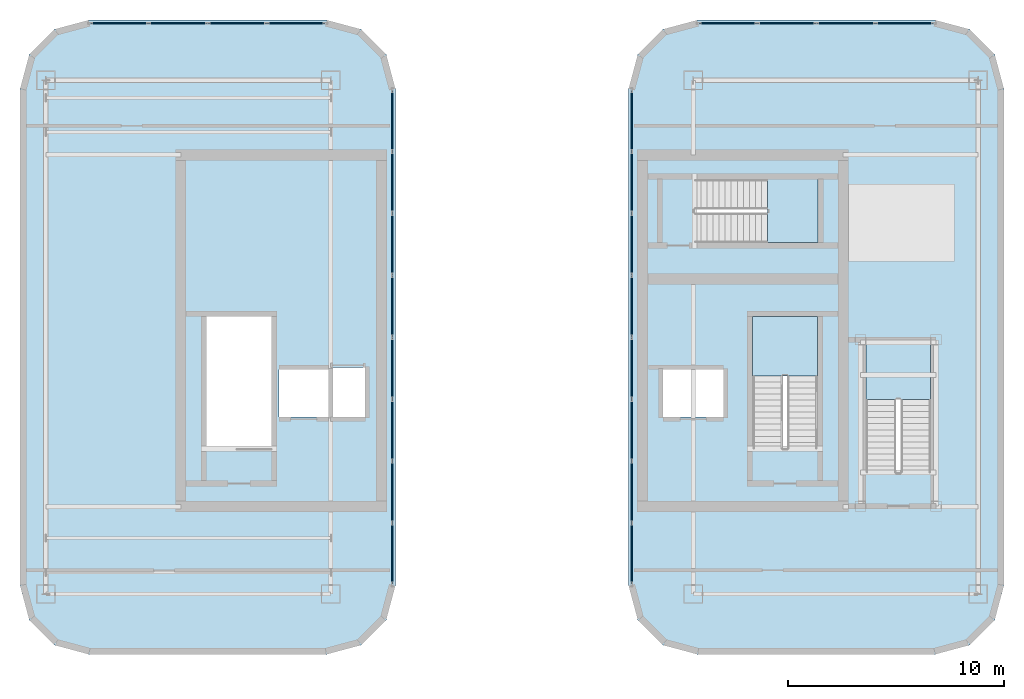
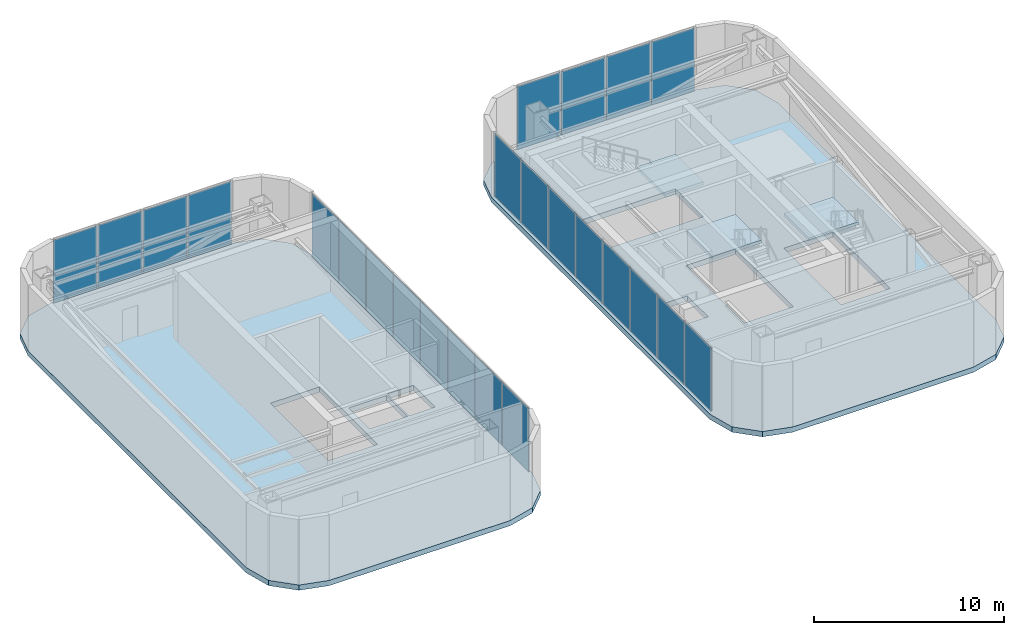
# One storey, part 8 of 13: 24 plates, 5 slabs, 7 elements without a shape of their own.
"""IFC4 building model written with IfcOpenShell, lengths in metres."""

from ifc_helpers import new_model, si_unit, direction, frame, origin, origin_2d, place, context, subcontext, project, spatial, polyline, rectangle, outline, extrude, material, layer, layer_set, type_object, element, aggregate, save


model = new_model("IFC4")

# Units and contexts
model_context = context("Model", 3, precision=1e-05, world=origin(), true_north=direction((0.0, 1.0)))
body_context = subcontext(model_context, "Body", "Model", "MODEL_VIEW")
ifc_project = project(units=[si_unit("LENGTHUNIT", "METRE"), si_unit("AREAUNIT", "SQUARE_METRE"), si_unit("VOLUMEUNIT", "CUBIC_METRE"), si_unit("PLANEANGLEUNIT", "RADIAN"), si_unit("MASSUNIT", "GRAM", prefix="KILO")], contexts=[model_context])

# Site, building, storey
site_placement = place(None, origin())
site = spatial("IfcSite", under=ifc_project, at=site_placement, CompositionType="ELEMENT")
building_placement = place(site_placement, origin())
building = spatial("IfcBuilding", under=site, at=building_placement, Name="Kiyonajd Concourse Tower", CompositionType="ELEMENT")
storey_placement = place(building_placement, frame((0.0, 0.0, 363.89990234375)))
storey = spatial("IfcBuildingStorey", under=building, at=storey_placement, Name="L91", CompositionType="ELEMENT", Elevation=363.89990234375)

# Curtain wall, plates
ifc_material_1 = material(Name="Thermally Broken Anodised Aluminium", Category="aluminium")
ifc_layer_1 = layer(ifc_material_1, 0.179931640625)
ifc_layer_set_1 = layer_set([ifc_layer_1], Name="Thermally Broken Anodised Aluminium")
curtain_wall_type = type_object("IfcCurtainWallType", Name="CW-SYS-06", PredefinedType="NOTDEFINED", material=ifc_layer_set_1)
curtain_wall_1_placement = place(storey_placement, origin())
curtain_wall_1 = element("IfcCurtainWall", 1, at=curtain_wall_1_placement, inside=storey, type_object=curtain_wall_type, Name="L91 Unitised Curtain Wall CW6", PredefinedType="NOTDEFINED")
ifc_material_2 = material(Name="Riyadh Jubaila Limestone", Category="masonry")
ifc_layer_2 = layer(ifc_material_2, 0.048095703125)
ifc_layer_set_2 = layer_set([ifc_layer_2], Name="Riyadh Jubaila Limestone")
plate_type = type_object("IfcPlateType", Name="PL-CW-SPD48", PredefinedType="CURTAIN_PANEL", material=ifc_layer_set_2)
plate_1_placement = place(storey_placement, frame((29.80859375, 50.25, 0.0751953125), z_axis=(0.0, 0.0, 1.0), x_axis=(1.0, 0.0, 0.0)))
plate_1 = element("IfcPlate", 2, at=plate_1_placement, type_object=plate_type, Name="CW6 panel 1.1", PredefinedType="CURTAIN_PANEL", context=body_context, shape_type="SweptSolid", body=[
    extrude(rectangle(XDim=2.627685546875, YDim=0.048095703125, at=origin_2d()), origin(), (0.0, 0.0, 1.0), 4.050048828125),
])
plate_2_placement = place(storey_placement, frame((32.530029296875, 50.25, 0.0751953125), z_axis=(0.0, 0.0, 1.0), x_axis=(1.0, 0.0, 0.0)))
plate_2 = element("IfcPlate", 3, at=plate_2_placement, type_object=plate_type, Name="CW6 panel 2.1", PredefinedType="CURTAIN_PANEL", context=body_context, shape_type="SweptSolid", body=[
    extrude(rectangle(XDim=2.6650390625, YDim=0.048095703125, at=origin_2d()), origin(), (0.0, 0.0, 1.0), 4.050048828125),
])
plate_3_placement = place(storey_placement, frame((35.27001953125, 50.25, 0.0751953125), z_axis=(0.0, 0.0, 1.0), x_axis=(1.0, 0.0, 0.0)))
plate_3 = element("IfcPlate", 4, at=plate_3_placement, type_object=plate_type, Name="CW6 panel 3.1", PredefinedType="CURTAIN_PANEL", context=body_context, shape_type="SweptSolid", body=[
    extrude(rectangle(XDim=2.6650390625, YDim=0.048095703125, at=origin_2d()), origin(), (0.0, 0.0, 1.0), 4.050048828125),
])
plate_4_placement = place(storey_placement, frame((37.991455078125, 50.25, 0.0751953125), z_axis=(0.0, 0.0, 1.0), x_axis=(1.0, 0.0, 0.0)))
plate_4 = element("IfcPlate", 5, at=plate_4_placement, type_object=plate_type, Name="CW6 panel 4.1", PredefinedType="CURTAIN_PANEL", context=body_context, shape_type="SweptSolid", body=[
    extrude(rectangle(XDim=2.627685546875, YDim=0.048095703125, at=origin_2d()), origin(), (0.0, 0.0, 1.0), 4.050048828125),
])
aggregate(curtain_wall_1, [plate_1, plate_2, plate_3, plate_4])

curtain_wall_2_placement = place(storey_placement, origin())
curtain_wall_2 = element("IfcCurtainWall", 6, at=curtain_wall_2_placement, inside=storey, type_object=curtain_wall_type, Name="L91 Unitised Curtain Wall CW6", PredefinedType="NOTDEFINED")
plate_5_placement = place(storey_placement, frame((42.449951171875, 45.726318359375, 0.0751953125), z_axis=(0.0, 0.0, 1.0), x_axis=(0.0, -1.0, 0.0)))
plate_5 = element("IfcPlate", 7, at=plate_5_placement, type_object=plate_type, Name="CW6 panel 1.1", PredefinedType="CURTAIN_PANEL", context=body_context, shape_type="SweptSolid", body=[
    extrude(rectangle(XDim=2.757568359375, YDim=0.048095703125, at=origin_2d()), origin(), (0.0, 0.0, 1.0), 4.050048828125),
])
plate_6_placement = place(storey_placement, frame((42.449951171875, 42.875244140625, 0.0751953125), z_axis=(0.0, 0.0, 1.0), x_axis=(0.0, -1.0, 0.0)))
plate_6 = element("IfcPlate", 8, at=plate_6_placement, type_object=plate_type, Name="CW6 panel 2.1", PredefinedType="CURTAIN_PANEL", context=body_context, shape_type="SweptSolid", body=[
    extrude(rectangle(XDim=2.795166015625, YDim=0.048095703125, at=origin_2d()), origin(), (0.0, 0.0, 1.0), 4.050048828125),
])
plate_7_placement = place(storey_placement, frame((42.449951171875, 40.005126953125, 0.0751953125), z_axis=(0.0, 0.0, 1.0), x_axis=(0.0, -1.0, 0.0)))
plate_7 = element("IfcPlate", 9, at=plate_7_placement, type_object=plate_type, Name="CW6 panel 3.1", PredefinedType="CURTAIN_PANEL", context=body_context, shape_type="SweptSolid", body=[
    extrude(rectangle(XDim=2.795166015625, YDim=0.048095703125, at=origin_2d()), origin(), (0.0, 0.0, 1.0), 4.050048828125),
])
plate_8_placement = place(storey_placement, frame((42.449951171875, 37.135009765625, 0.0751953125), z_axis=(0.0, 0.0, 1.0), x_axis=(0.0, -1.0, 0.0)))
plate_8 = element("IfcPlate", 10, at=plate_8_placement, type_object=plate_type, Name="CW6 panel 4.1", PredefinedType="CURTAIN_PANEL", context=body_context, shape_type="SweptSolid", body=[
    extrude(rectangle(XDim=2.795166015625, YDim=0.048095703125, at=origin_2d()), origin(), (0.0, 0.0, 1.0), 4.050048828125),
])
plate_9_placement = place(storey_placement, frame((42.449951171875, 34.264892578125, 0.0751953125), z_axis=(0.0, 0.0, 1.0), x_axis=(0.0, -1.0, 0.0)))
plate_9 = element("IfcPlate", 11, at=plate_9_placement, type_object=plate_type, Name="CW6 panel 5.1", PredefinedType="CURTAIN_PANEL", context=body_context, shape_type="SweptSolid", body=[
    extrude(rectangle(XDim=2.795166015625, YDim=0.048095703125, at=origin_2d()), origin(), (0.0, 0.0, 1.0), 4.050048828125),
])
plate_10_placement = place(storey_placement, frame((42.449951171875, 31.39501953125, 0.0751953125), z_axis=(0.0, 0.0, 1.0), x_axis=(0.0, -1.0, 0.0)))
plate_10 = element("IfcPlate", 12, at=plate_10_placement, type_object=plate_type, Name="CW6 panel 6.1", PredefinedType="CURTAIN_PANEL", context=body_context, shape_type="SweptSolid", body=[
    extrude(rectangle(XDim=2.795166015625, YDim=0.048095703125, at=origin_2d()), origin(), (0.0, 0.0, 1.0), 4.050048828125),
])
plate_11_placement = place(storey_placement, frame((42.449951171875, 28.52490234375, 0.0751953125), z_axis=(0.0, 0.0, 1.0), x_axis=(0.0, -1.0, 0.0)))
plate_11 = element("IfcPlate", 13, at=plate_11_placement, type_object=plate_type, Name="CW6 panel 7.1", PredefinedType="CURTAIN_PANEL", context=body_context, shape_type="SweptSolid", body=[
    extrude(rectangle(XDim=2.795166015625, YDim=0.048095703125, at=origin_2d()), origin(), (0.0, 0.0, 1.0), 4.050048828125),
])
plate_12_placement = place(storey_placement, frame((42.449951171875, 25.673583984375, 0.0751953125), z_axis=(0.0, 0.0, 1.0), x_axis=(0.0, -1.0, 0.0)))
plate_12 = element("IfcPlate", 14, at=plate_12_placement, type_object=plate_type, Name="CW6 panel 8.1", PredefinedType="CURTAIN_PANEL", context=body_context, shape_type="SweptSolid", body=[
    extrude(rectangle(XDim=2.757568359375, YDim=0.048095703125, at=origin_2d()), origin(), (0.0, 0.0, 1.0), 4.050048828125),
])
aggregate(curtain_wall_2, [plate_5, plate_6, plate_7, plate_8, plate_9, plate_10, plate_11, plate_12])

curtain_wall_3_placement = place(storey_placement, origin())
curtain_wall_3 = element("IfcCurtainWall", 15, at=curtain_wall_3_placement, inside=storey, type_object=curtain_wall_type, Name="L91 Unitised Curtain Wall CW6", PredefinedType="NOTDEFINED")
plate_13_placement = place(storey_placement, frame((53.550048828125, 25.673583984375, 0.0751953125), z_axis=(0.0, 0.0, 1.0), x_axis=(0.0, 1.0, 0.0)))
plate_13 = element("IfcPlate", 16, at=plate_13_placement, type_object=plate_type, Name="CW6 panel 1.1", PredefinedType="CURTAIN_PANEL", context=body_context, shape_type="SweptSolid", body=[
    extrude(rectangle(XDim=2.757568359375, YDim=0.048095703125, at=origin_2d()), origin(), (0.0, 0.0, 1.0), 4.050048828125),
])
plate_14_placement = place(storey_placement, frame((53.550048828125, 28.52490234375, 0.0751953125), z_axis=(0.0, 0.0, 1.0), x_axis=(0.0, 1.0, 0.0)))
plate_14 = element("IfcPlate", 17, at=plate_14_placement, type_object=plate_type, Name="CW6 panel 2.1", PredefinedType="CURTAIN_PANEL", context=body_context, shape_type="SweptSolid", body=[
    extrude(rectangle(XDim=2.795166015625, YDim=0.048095703125, at=origin_2d()), origin(), (0.0, 0.0, 1.0), 4.050048828125),
])
plate_15_placement = place(storey_placement, frame((53.550048828125, 31.39501953125, 0.0751953125), z_axis=(0.0, 0.0, 1.0), x_axis=(0.0, 1.0, 0.0)))
plate_15 = element("IfcPlate", 18, at=plate_15_placement, type_object=plate_type, Name="CW6 panel 3.1", PredefinedType="CURTAIN_PANEL", context=body_context, shape_type="SweptSolid", body=[
    extrude(rectangle(XDim=2.795166015625, YDim=0.048095703125, at=origin_2d()), origin(), (0.0, 0.0, 1.0), 4.050048828125),
])
plate_16_placement = place(storey_placement, frame((53.550048828125, 34.264892578125, 0.0751953125), z_axis=(0.0, 0.0, 1.0), x_axis=(0.0, 1.0, 0.0)))
plate_16 = element("IfcPlate", 19, at=plate_16_placement, type_object=plate_type, Name="CW6 panel 4.1", PredefinedType="CURTAIN_PANEL", context=body_context, shape_type="SweptSolid", body=[
    extrude(rectangle(XDim=2.795166015625, YDim=0.048095703125, at=origin_2d()), origin(), (0.0, 0.0, 1.0), 4.050048828125),
])
plate_17_placement = place(storey_placement, frame((53.550048828125, 37.135009765625, 0.0751953125), z_axis=(0.0, 0.0, 1.0), x_axis=(0.0, 1.0, 0.0)))
plate_17 = element("IfcPlate", 20, at=plate_17_placement, type_object=plate_type, Name="CW6 panel 5.1", PredefinedType="CURTAIN_PANEL", context=body_context, shape_type="SweptSolid", body=[
    extrude(rectangle(XDim=2.795166015625, YDim=0.048095703125, at=origin_2d()), origin(), (0.0, 0.0, 1.0), 4.050048828125),
])
plate_18_placement = place(storey_placement, frame((53.550048828125, 40.005126953125, 0.0751953125), z_axis=(0.0, 0.0, 1.0), x_axis=(0.0, 1.0, 0.0)))
plate_18 = element("IfcPlate", 21, at=plate_18_placement, type_object=plate_type, Name="CW6 panel 6.1", PredefinedType="CURTAIN_PANEL", context=body_context, shape_type="SweptSolid", body=[
    extrude(rectangle(XDim=2.795166015625, YDim=0.048095703125, at=origin_2d()), origin(), (0.0, 0.0, 1.0), 4.050048828125),
])
plate_19_placement = place(storey_placement, frame((53.550048828125, 42.875244140625, 0.0751953125), z_axis=(0.0, 0.0, 1.0), x_axis=(0.0, 1.0, 0.0)))
plate_19 = element("IfcPlate", 22, at=plate_19_placement, type_object=plate_type, Name="CW6 panel 7.1", PredefinedType="CURTAIN_PANEL", context=body_context, shape_type="SweptSolid", body=[
    extrude(rectangle(XDim=2.795166015625, YDim=0.048095703125, at=origin_2d()), origin(), (0.0, 0.0, 1.0), 4.050048828125),
])
plate_20_placement = place(storey_placement, frame((53.550048828125, 45.726318359375, 0.0751953125), z_axis=(0.0, 0.0, 1.0), x_axis=(0.0, 1.0, 0.0)))
plate_20 = element("IfcPlate", 23, at=plate_20_placement, type_object=plate_type, Name="CW6 panel 8.1", PredefinedType="CURTAIN_PANEL", context=body_context, shape_type="SweptSolid", body=[
    extrude(rectangle(XDim=2.757568359375, YDim=0.048095703125, at=origin_2d()), origin(), (0.0, 0.0, 1.0), 4.050048828125),
])
aggregate(curtain_wall_3, [plate_13, plate_14, plate_15, plate_16, plate_17, plate_18, plate_19, plate_20])

curtain_wall_4_placement = place(storey_placement, origin())
curtain_wall_4 = element("IfcCurtainWall", 24, at=curtain_wall_4_placement, inside=storey, type_object=curtain_wall_type, Name="L91 Unitised Curtain Wall CW6", PredefinedType="NOTDEFINED")
plate_21_placement = place(storey_placement, frame((58.008544921875, 50.25, 0.0751953125), z_axis=(0.0, 0.0, 1.0), x_axis=(1.0, 0.0, 0.0)))
plate_21 = element("IfcPlate", 25, at=plate_21_placement, type_object=plate_type, Name="CW6 panel 1.1", PredefinedType="CURTAIN_PANEL", context=body_context, shape_type="SweptSolid", body=[
    extrude(rectangle(XDim=2.627685546875, YDim=0.048095703125, at=origin_2d()), origin(), (0.0, 0.0, 1.0), 4.050048828125),
])
plate_22_placement = place(storey_placement, frame((60.72998046875, 50.25, 0.0751953125), z_axis=(0.0, 0.0, 1.0), x_axis=(1.0, 0.0, 0.0)))
plate_22 = element("IfcPlate", 26, at=plate_22_placement, type_object=plate_type, Name="CW6 panel 2.1", PredefinedType="CURTAIN_PANEL", context=body_context, shape_type="SweptSolid", body=[
    extrude(rectangle(XDim=2.6650390625, YDim=0.048095703125, at=origin_2d()), origin(), (0.0, 0.0, 1.0), 4.050048828125),
])
plate_23_placement = place(storey_placement, frame((63.469970703125, 50.25, 0.0751953125), z_axis=(0.0, 0.0, 1.0), x_axis=(1.0, 0.0, 0.0)))
plate_23 = element("IfcPlate", 27, at=plate_23_placement, type_object=plate_type, Name="CW6 panel 3.1", PredefinedType="CURTAIN_PANEL", context=body_context, shape_type="SweptSolid", body=[
    extrude(rectangle(XDim=2.6650390625, YDim=0.048095703125, at=origin_2d()), origin(), (0.0, 0.0, 1.0), 4.050048828125),
])
plate_24_placement = place(storey_placement, frame((66.19140625, 50.25, 0.0751953125), z_axis=(0.0, 0.0, 1.0), x_axis=(1.0, 0.0, 0.0)))
plate_24 = element("IfcPlate", 28, at=plate_24_placement, type_object=plate_type, Name="CW6 panel 4.1", PredefinedType="CURTAIN_PANEL", context=body_context, shape_type="SweptSolid", body=[
    extrude(rectangle(XDim=2.627685546875, YDim=0.048095703125, at=origin_2d()), origin(), (0.0, 0.0, 1.0), 4.050048828125),
])
aggregate(curtain_wall_4, [plate_21, plate_22, plate_23, plate_24])

# Stair, slab
ifc_material_3 = material(Name="Concrete C40/50", Category="concrete")
stair_type = type_object("IfcStairType", Name="ST-DLG-26R", PredefinedType="HALF_TURN_STAIR", material=ifc_material_3)
stair_1_placement = place(storey_placement, origin())
stair_1 = element("IfcStair", 29, at=stair_1_placement, inside=storey, type_object=stair_type, Name="L91 Protected Exit Stair ST2", PredefinedType="HALF_TURN_STAIR")
ifc_layer_3 = layer(ifc_material_3, 0.199951171875)
ifc_layer_set_3 = layer_set([ifc_layer_3], Name="Concrete C40/50")
slab_type_1 = type_object("IfcSlabType", Name="SL-LND-200", PredefinedType="LANDING", material=ifc_layer_set_3)
slab_1_placement = place(storey_placement, frame((0.0, 0.0, 2.050048828125)))
slab_1 = element("IfcSlab", 30, at=slab_1_placement, type_object=slab_type_1, Name="ST2 landing 1", PredefinedType="LANDING", context=body_context, shape_type="SweptSolid", body=[
    extrude(outline(polyline([(62.14990234375, 33.909912109375), (62.14990234375, 36.64990234375), (59.14990234375, 36.64990234375), (59.14990234375, 33.909912109375), (62.14990234375, 33.909912109375)])), origin(), (0.0, 0.0, 1.0), 0.199951171875),
])
aggregate(stair_1, [slab_1])

stair_2_placement = place(storey_placement, origin())
stair_2 = element("IfcStair", 31, at=stair_2_placement, inside=storey, type_object=stair_type, Name="L91 Protected Exit Stair ST3", PredefinedType="HALF_TURN_STAIR")
slab_2_placement = place(storey_placement, frame((0.0, 0.0, 2.050048828125)))
slab_2 = element("IfcSlab", 32, at=slab_2_placement, type_object=slab_type_1, Name="ST3 landing 1", PredefinedType="LANDING", context=body_context, shape_type="SweptSolid", body=[
    extrude(outline(polyline([(59.840087890625, 40.080078125), (62.179931640625, 40.080078125), (62.179931640625, 43.02001953125), (59.840087890625, 43.02001953125), (59.840087890625, 40.080078125)])), origin(), (0.0, 0.0, 1.0), 0.199951171875),
])
aggregate(stair_2, [slab_2])

stair_3_placement = place(storey_placement, origin())
stair_3 = element("IfcStair", 33, at=stair_3_placement, inside=storey, type_object=stair_type, Name="L91 East Crown Maintenance Stair ST6", PredefinedType="HALF_TURN_STAIR")
slab_3_placement = place(storey_placement, frame((0.0, 0.0, 2.050048828125)))
slab_3 = element("IfcSlab", 34, at=slab_3_placement, type_object=slab_type_1, Name="ST6 landing 1", PredefinedType="LANDING", context=body_context, shape_type="SweptSolid", body=[
    extrude(outline(polyline([(67.39990234375, 32.81005859375), (67.39990234375, 35.449951171875), (64.39990234375, 35.449951171875), (64.39990234375, 32.81005859375), (67.39990234375, 32.81005859375)])), origin(), (0.0, 0.0, 1.0), 0.199951171875),
])
aggregate(stair_3, [slab_3])

# Slabs
ifc_material_4 = material(Name="Concrete C50/60", Category="concrete")
ifc_layer_4 = layer(ifc_material_4, 0.300048828125)
ifc_layer_set_4 = layer_set([ifc_layer_4], Name="Concrete C50/60")
slab_type_2 = type_object("IfcSlabType", Name="SL-MEP-300", PredefinedType="FLOOR", material=ifc_layer_set_4)
slab_4_placement = place(storey_placement, frame((0.0, 0.0, -0.33984375)))
element("IfcSlab", 35, at=slab_4_placement, inside=storey, type_object=slab_type_2, Name="L91 West Crown Plant Floor Slab", PredefinedType="FLOOR", context=body_context, shape_type="SweptSolid", body=[
    extrude(outline(polyline([(25.199951171875, 24.199951171875), (25.62890625, 22.60009765625), (26.800048828125, 21.428955078125), (28.39990234375, 21.0), (39.39990234375, 21.0), (41.0, 21.428955078125), (42.1708984375, 22.60009765625), (42.60009765625, 24.199951171875), (42.60009765625, 47.199951171875), (42.1708984375, 48.800048828125), (41.0, 49.970947265625), (39.39990234375, 50.39990234375), (28.39990234375, 50.39990234375), (26.800048828125, 49.970947265625), (25.62890625, 48.800048828125), (25.199951171875, 47.199951171875), (25.199951171875, 24.199951171875)]), holes=[polyline([(33.85009765625, 30.550048828125), (33.85009765625, 36.64990234375), (36.85009765625, 36.64990234375), (36.85009765625, 30.550048828125), (33.85009765625, 30.550048828125)]), polyline([(37.199951171875, 32.0), (37.199951171875, 34.199951171875), (39.5, 34.199951171875), (39.5, 32.0), (37.199951171875, 32.0)]), polyline([(39.60009765625, 32.0), (39.60009765625, 34.300048828125), (41.199951171875, 34.300048828125), (41.199951171875, 32.0), (39.60009765625, 32.0)])]), origin(), (0.0, 0.0, 1.0), 0.33984375),
])
slab_5_placement = place(storey_placement, frame((0.0, 0.0, -0.33984375)))
element("IfcSlab", 36, at=slab_5_placement, inside=storey, type_object=slab_type_2, Name="L91 East Crown TMD Floor Slab", PredefinedType="FLOOR", context=body_context, shape_type="SweptSolid", body=[
    extrude(outline(polyline([(53.39990234375, 24.199951171875), (53.8291015625, 22.60009765625), (55.0, 21.428955078125), (56.60009765625, 21.0), (67.60009765625, 21.0), (69.199951171875, 21.428955078125), (70.37109375, 22.60009765625), (70.800048828125, 24.199951171875), (70.800048828125, 47.199951171875), (70.37109375, 48.800048828125), (69.199951171875, 49.970947265625), (67.60009765625, 50.39990234375), (56.60009765625, 50.39990234375), (55.0, 49.970947265625), (53.8291015625, 48.800048828125), (53.39990234375, 47.199951171875), (53.39990234375, 24.199951171875)]), holes=[polyline([(59.14990234375, 30.550048828125), (59.14990234375, 36.64990234375), (62.14990234375, 36.64990234375), (62.14990234375, 30.550048828125), (59.14990234375, 30.550048828125)]), polyline([(56.47998046875, 43.02001953125), (62.179931640625, 43.02001953125), (62.179931640625, 40.080078125), (56.47998046875, 40.080078125), (56.47998046875, 43.02001953125)]), polyline([(64.39990234375, 29.449951171875), (64.39990234375, 35.449951171875), (67.39990234375, 35.449951171875), (67.39990234375, 29.449951171875), (64.39990234375, 29.449951171875)]), polyline([(55.0, 32.0), (55.0, 34.199951171875), (57.800048828125, 34.199951171875), (57.800048828125, 32.0), (55.0, 32.0)])]), origin(), (0.0, 0.0, 1.0), 0.33984375),
])

save(model, "model.ifc")
